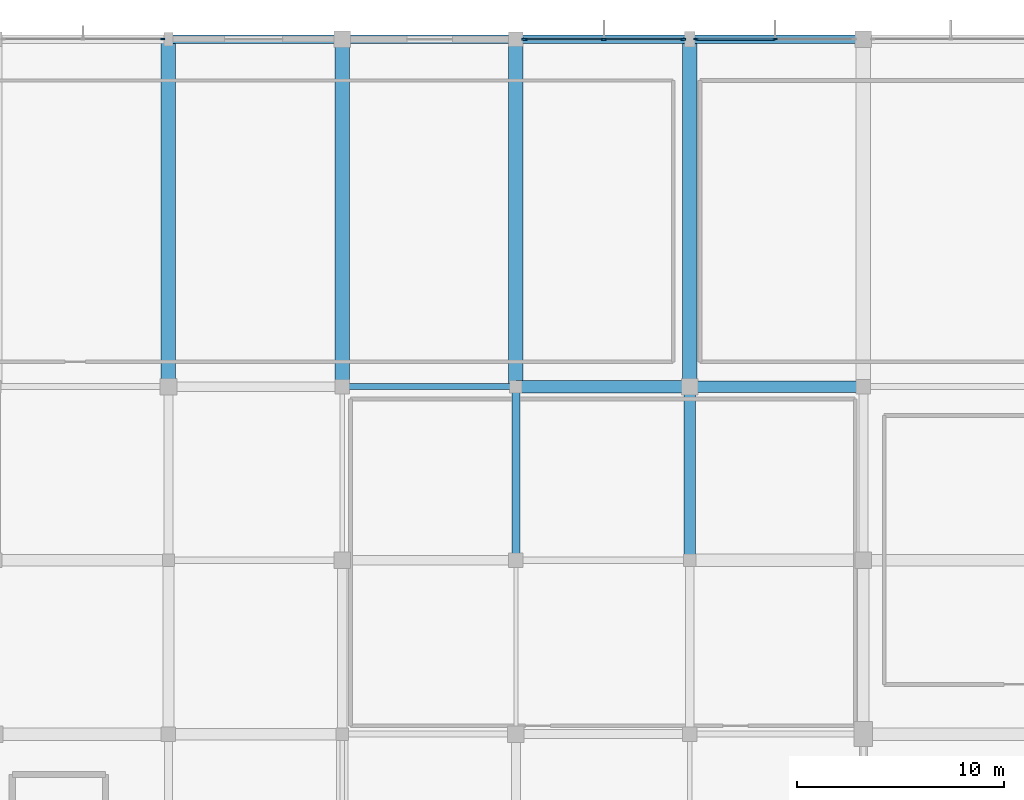
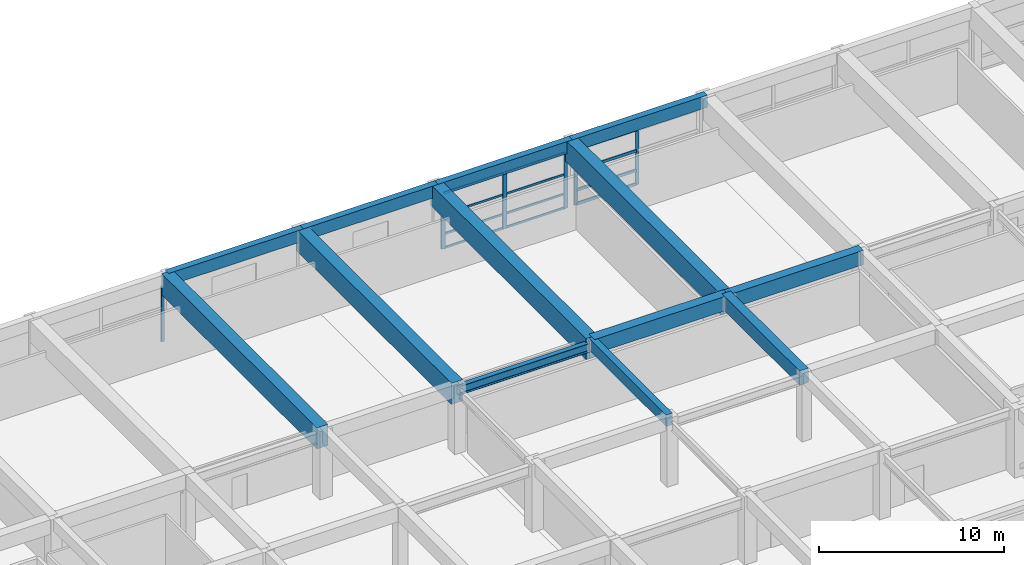
# One storey, part 26 of 65: 18 members, 13 beams, 3 elements without a shape of their own.
"""IFC4 building model written with IfcOpenShell, lengths in metres."""

from ifc_helpers import new_model, si_unit, direction, frame, origin, origin_2d, place, context, subcontext, project, spatial, rectangle, i_section, extrude, material, material_profile, profile_set, type_object, element, aggregate, save


model = new_model("IFC4")

# Units and contexts
model_context = context("Model", 3, precision=1e-05, world=origin(), true_north=direction((0.0, 1.0)))
body_context = subcontext(model_context, "Body", "Model", "MODEL_VIEW")
ifc_project = project(units=[si_unit("LENGTHUNIT", "METRE"), si_unit("AREAUNIT", "SQUARE_METRE"), si_unit("VOLUMEUNIT", "CUBIC_METRE"), si_unit("PLANEANGLEUNIT", "RADIAN"), si_unit("MASSUNIT", "GRAM", prefix="KILO")], contexts=[model_context])

# Site, building, storey
site_placement = place(None, origin())
site = spatial("IfcSite", under=ifc_project, at=site_placement, CompositionType="ELEMENT")
building_placement = place(site_placement, origin())
building = spatial("IfcBuilding", under=site, at=building_placement, Name="Xuanlan Plaza Opera House", CompositionType="ELEMENT")
storey_placement = place(building_placement, frame((0.0, 0.0, 5.39990234375)))
storey = spatial("IfcBuildingStorey", under=building, at=storey_placement, Name="L01", CompositionType="ELEMENT", Elevation=5.39990234375)

# Curtain wall, member
ifc_material_1 = material(Name="Anodised Aluminium 6063-T6 and Low-E Glass", Category="aluminium")
curtain_wall_type_1 = type_object("IfcCurtainWallType", Name="ENV-CW-CW-04", PredefinedType="USERDEFINED", material=ifc_material_1)
curtain_wall_1_placement = place(storey_placement, origin())
curtain_wall_1 = element("IfcCurtainWall", 1, at=curtain_wall_1_placement, inside=storey, type_object=curtain_wall_type_1, Name="Unitised Curtain Wall L01-045", ObjectType="UNITISED CURTAIN WALL", PredefinedType="USERDEFINED")
ifc_material_2 = material(Name="Anodised Aluminium 6063-T6", Category="aluminium")
ifc_material_profile_1 = material_profile(ifc_material_2, rectangle(XDim=0.074951171875, YDim=0.199951171875, at=origin_2d()), Name="ALU-M 75x200")
ifc_profile_set_1 = profile_set([ifc_material_profile_1], Name="Anodised Aluminium 6063-T6")
member_type_1 = type_object("IfcMemberType", Name="ENV-CWM-03", PredefinedType="MULLION", material=ifc_profile_set_1)
member_1_placement = place(storey_placement, frame((33.3173828125, 117.60009765625, 0.0), z_axis=(0.0, 0.0, 1.0), x_axis=(0.0, -1.0, 0.0)))
member_1 = element("IfcMember", 2, at=member_1_placement, type_object=member_type_1, Name="CW-04 mullion 1", PredefinedType="MULLION", context=body_context, shape_type="SweptSolid", body=[
    extrude(rectangle(XDim=0.074951171875, YDim=0.199951171875, at=origin_2d()), origin(), (0.0, 0.0, 1.0), 3.68017578125),
])
aggregate(curtain_wall_1, [member_1])

# Curtain wall, members
curtain_wall_type_2 = type_object("IfcCurtainWallType", Name="ENV-CW-CW-06", PredefinedType="USERDEFINED", material=ifc_material_1)
curtain_wall_2_placement = place(storey_placement, origin())
curtain_wall_2 = element("IfcCurtainWall", 3, at=curtain_wall_2_placement, inside=storey, type_object=curtain_wall_type_2, Name="Acoustic Glazed Wall L01-041", ObjectType="ACOUSTIC GLAZED WALL", PredefinedType="USERDEFINED")
ifc_material_profile_2 = material_profile(ifc_material_2, rectangle(XDim=0.080078125, YDim=0.219970703125, at=origin_2d()), Name="ALU-M 80x220")
ifc_profile_set_2 = profile_set([ifc_material_profile_2], Name="Anodised Aluminium 6063-T6")
member_type_2 = type_object("IfcMemberType", Name="ENV-CWM-04", PredefinedType="MULLION", material=ifc_profile_set_2)
member_2_placement = place(storey_placement, frame((62.925048828125, 117.60009765625, 0.0), z_axis=(0.0, 0.0, 1.0), x_axis=(0.0, -1.0, 0.0)))
member_2 = element("IfcMember", 4, at=member_2_placement, type_object=member_type_2, Name="CW-06 mullion 2", PredefinedType="MULLION", context=body_context, shape_type="SweptSolid", body=[
    extrude(rectangle(XDim=0.080078125, YDim=0.219970703125, at=origin_2d()), origin(), (0.0, 0.0, 1.0), 3.68017578125),
])
member_3_placement = place(storey_placement, frame((59.110107421875, 117.60009765625, 0.0), z_axis=(0.0, 0.0, 1.0), x_axis=(0.0, -1.0, 0.0)))
member_3 = element("IfcMember", 5, at=member_3_placement, type_object=member_type_2, Name="CW-06 mullion 3", PredefinedType="MULLION", context=body_context, shape_type="SweptSolid", body=[
    extrude(rectangle(XDim=0.080078125, YDim=0.219970703125, at=origin_2d()), origin(), (0.0, 0.0, 1.0), 3.68017578125),
])

curtain_wall_type_3 = type_object("IfcCurtainWallType", Name="ENV-CW-CW-01", PredefinedType="USERDEFINED", material=ifc_material_1)
curtain_wall_3_placement = place(storey_placement, origin())
curtain_wall_3 = element("IfcCurtainWall", 6, at=curtain_wall_3_placement, inside=storey, type_object=curtain_wall_type_3, Name="Unitised Curtain Wall L01-042", ObjectType="UNITISED CURTAIN WALL", PredefinedType="USERDEFINED")
ifc_material_profile_3 = material_profile(ifc_material_2, rectangle(XDim=0.090087890625, YDim=0.25, at=origin_2d()), Name="ALU-M 90x250")
ifc_profile_set_3 = profile_set([ifc_material_profile_3], Name="Anodised Aluminium 6063-T6")
member_type_3 = type_object("IfcMemberType", Name="ENV-CWM-05", PredefinedType="MULLION", material=ifc_profile_set_3)
member_4_placement = place(storey_placement, frame((58.485107421875, 117.60009765625, 0.0), z_axis=(0.0, 0.0, 1.0), x_axis=(0.0, -1.0, 0.0)))
member_4 = element("IfcMember", 7, at=member_4_placement, type_object=member_type_3, Name="CW-01 mullion 1", PredefinedType="MULLION", context=body_context, shape_type="SweptSolid", body=[
    extrude(rectangle(XDim=0.090087890625, YDim=0.25, at=origin_2d()), origin(), (0.0, 0.0, 1.0), 3.68017578125),
])
member_5_placement = place(storey_placement, frame((54.64990234375, 117.60009765625, 0.0), z_axis=(0.0, 0.0, 1.0), x_axis=(0.0, -1.0, 0.0)))
member_5 = element("IfcMember", 8, at=member_5_placement, type_object=member_type_3, Name="CW-01 mullion 2", PredefinedType="MULLION", context=body_context, shape_type="SweptSolid", body=[
    extrude(rectangle(XDim=0.090087890625, YDim=0.25, at=origin_2d()), origin(), (0.0, 0.0, 1.0), 3.68017578125),
])
member_6_placement = place(storey_placement, frame((50.81494140625, 117.60009765625, 0.0), z_axis=(0.0, 0.0, 1.0), x_axis=(0.0, -1.0, 0.0)))
member_6 = element("IfcMember", 9, at=member_6_placement, type_object=member_type_3, Name="CW-01 mullion 3", PredefinedType="MULLION", context=body_context, shape_type="SweptSolid", body=[
    extrude(rectangle(XDim=0.090087890625, YDim=0.25, at=origin_2d()), origin(), (0.0, 0.0, 1.0), 3.68017578125),
])
ifc_material_profile_4 = material_profile(ifc_material_2, rectangle(XDim=0.070068359375, YDim=0.135009765625, at=origin_2d()), Name="ALU-T 70x135")
ifc_profile_set_4 = profile_set([ifc_material_profile_4], Name="Anodised Aluminium 6063-T6")
member_type_4 = type_object("IfcMemberType", Name="ENV-CWT-02", PredefinedType="USERDEFINED", material=ifc_profile_set_4)
member_7_placement = place(storey_placement, frame((58.43994140625, 117.60009765625, 0.03515625), z_axis=(-1.0, 0.0, 0.0), x_axis=(0.0, -1.0, 0.0)))
member_7 = element("IfcMember", 10, at=member_7_placement, type_object=member_type_4, Name="CW-01 transom 1.1", ObjectType="TRANSOM", PredefinedType="USERDEFINED", context=body_context, shape_type="SweptSolid", body=[
    extrude(rectangle(XDim=0.070068359375, YDim=0.135009765625, at=origin_2d()), origin(), (0.0, 0.0, 1.0), 3.744873046875),
])
member_8_placement = place(storey_placement, frame((58.43994140625, 117.60009765625, 0.9501953125), z_axis=(-1.0, 0.0, 0.0), x_axis=(0.0, -1.0, 0.0)))
member_8 = element("IfcMember", 11, at=member_8_placement, type_object=member_type_4, Name="CW-01 transom 1.2", ObjectType="TRANSOM", PredefinedType="USERDEFINED", context=body_context, shape_type="SweptSolid", body=[
    extrude(rectangle(XDim=0.070068359375, YDim=0.135009765625, at=origin_2d()), origin(), (0.0, 0.0, 1.0), 3.744873046875),
])
member_9_placement = place(storey_placement, frame((58.43994140625, 117.60009765625, 2.25), z_axis=(-1.0, 0.0, 0.0), x_axis=(0.0, -1.0, 0.0)))
member_9 = element("IfcMember", 12, at=member_9_placement, type_object=member_type_4, Name="CW-01 transom 1.3", ObjectType="TRANSOM", PredefinedType="USERDEFINED", context=body_context, shape_type="SweptSolid", body=[
    extrude(rectangle(XDim=0.070068359375, YDim=0.135009765625, at=origin_2d()), origin(), (0.0, 0.0, 1.0), 3.744873046875),
])
member_10_placement = place(storey_placement, frame((58.43994140625, 117.60009765625, 3.64501953125), z_axis=(-1.0, 0.0, 0.0), x_axis=(0.0, -1.0, 0.0)))
member_10 = element("IfcMember", 13, at=member_10_placement, type_object=member_type_4, Name="CW-01 transom 1.4", ObjectType="TRANSOM", PredefinedType="USERDEFINED", context=body_context, shape_type="SweptSolid", body=[
    extrude(rectangle(XDim=0.070068359375, YDim=0.135009765625, at=origin_2d()), origin(), (0.0, 0.0, 1.0), 3.744873046875),
])
member_11_placement = place(storey_placement, frame((54.60498046875, 117.60009765625, 0.03515625), z_axis=(-1.0, 0.0, 0.0), x_axis=(0.0, -1.0, 0.0)))
member_11 = element("IfcMember", 14, at=member_11_placement, type_object=member_type_4, Name="CW-01 transom 2.1", ObjectType="TRANSOM", PredefinedType="USERDEFINED", context=body_context, shape_type="SweptSolid", body=[
    extrude(rectangle(XDim=0.070068359375, YDim=0.135009765625, at=origin_2d()), origin(), (0.0, 0.0, 1.0), 3.744873046875),
])
member_12_placement = place(storey_placement, frame((54.60498046875, 117.60009765625, 0.9501953125), z_axis=(-1.0, 0.0, 0.0), x_axis=(0.0, -1.0, 0.0)))
member_12 = element("IfcMember", 15, at=member_12_placement, type_object=member_type_4, Name="CW-01 transom 2.2", ObjectType="TRANSOM", PredefinedType="USERDEFINED", context=body_context, shape_type="SweptSolid", body=[
    extrude(rectangle(XDim=0.070068359375, YDim=0.135009765625, at=origin_2d()), origin(), (0.0, 0.0, 1.0), 3.744873046875),
])
member_13_placement = place(storey_placement, frame((54.60498046875, 117.60009765625, 2.25), z_axis=(-1.0, 0.0, 0.0), x_axis=(0.0, -1.0, 0.0)))
member_13 = element("IfcMember", 16, at=member_13_placement, type_object=member_type_4, Name="CW-01 transom 2.3", ObjectType="TRANSOM", PredefinedType="USERDEFINED", context=body_context, shape_type="SweptSolid", body=[
    extrude(rectangle(XDim=0.070068359375, YDim=0.135009765625, at=origin_2d()), origin(), (0.0, 0.0, 1.0), 3.744873046875),
])
member_14_placement = place(storey_placement, frame((54.60498046875, 117.60009765625, 3.64501953125), z_axis=(-1.0, 0.0, 0.0), x_axis=(0.0, -1.0, 0.0)))
member_14 = element("IfcMember", 17, at=member_14_placement, type_object=member_type_4, Name="CW-01 transom 2.4", ObjectType="TRANSOM", PredefinedType="USERDEFINED", context=body_context, shape_type="SweptSolid", body=[
    extrude(rectangle(XDim=0.070068359375, YDim=0.135009765625, at=origin_2d()), origin(), (0.0, 0.0, 1.0), 3.744873046875),
])
aggregate(curtain_wall_3, [member_4, member_5, member_6, member_7, member_8, member_9, member_10, member_11, member_12, member_13, member_14])

# Member
ifc_material_profile_5 = material_profile(ifc_material_2, rectangle(XDim=0.090087890625, YDim=0.179931640625, at=origin_2d()), Name="ALU-T 90x180")
ifc_profile_set_5 = profile_set([ifc_material_profile_5], Name="Anodised Aluminium 6063-T6")
member_type_5 = type_object("IfcMemberType", Name="ENV-CWT-05", PredefinedType="USERDEFINED", material=ifc_profile_set_5)
member_15_placement = place(storey_placement, frame((62.885009765625, 117.60009765625, 0.045166015625), z_axis=(-1.0, 0.0, 0.0), x_axis=(0.0, -1.0, 0.0)))
member_15 = element("IfcMember", 18, at=member_15_placement, type_object=member_type_5, Name="CW-06 transom 2.1", ObjectType="TRANSOM", PredefinedType="USERDEFINED", context=body_context, shape_type="SweptSolid", body=[
    extrude(rectangle(XDim=0.090087890625, YDim=0.179931640625, at=origin_2d()), origin(), (0.0, 0.0, 1.0), 3.735107421875),
])

member_16_placement = place(storey_placement, frame((62.885009765625, 117.60009765625, 0.9501953125), z_axis=(-1.0, 0.0, 0.0), x_axis=(0.0, -1.0, 0.0)))
member_16 = element("IfcMember", 19, at=member_16_placement, type_object=member_type_5, Name="CW-06 transom 2.2", ObjectType="TRANSOM", PredefinedType="USERDEFINED", context=body_context, shape_type="SweptSolid", body=[
    extrude(rectangle(XDim=0.090087890625, YDim=0.179931640625, at=origin_2d()), origin(), (0.0, 0.0, 1.0), 3.735107421875),
])

member_17_placement = place(storey_placement, frame((62.885009765625, 117.60009765625, 2.25), z_axis=(-1.0, 0.0, 0.0), x_axis=(0.0, -1.0, 0.0)))
member_17 = element("IfcMember", 20, at=member_17_placement, type_object=member_type_5, Name="CW-06 transom 2.3", ObjectType="TRANSOM", PredefinedType="USERDEFINED", context=body_context, shape_type="SweptSolid", body=[
    extrude(rectangle(XDim=0.090087890625, YDim=0.179931640625, at=origin_2d()), origin(), (0.0, 0.0, 1.0), 3.735107421875),
])

member_18_placement = place(storey_placement, frame((62.885009765625, 117.60009765625, 3.635009765625), z_axis=(-1.0, 0.0, 0.0), x_axis=(0.0, -1.0, 0.0)))
member_18 = element("IfcMember", 21, at=member_18_placement, type_object=member_type_5, Name="CW-06 transom 2.4", ObjectType="TRANSOM", PredefinedType="USERDEFINED", context=body_context, shape_type="SweptSolid", body=[
    extrude(rectangle(XDim=0.090087890625, YDim=0.179931640625, at=origin_2d()), origin(), (0.0, 0.0, 1.0), 3.735107421875),
])

aggregate(curtain_wall_2, [member_2, member_3, member_15, member_16, member_17, member_18])

# Beams
ifc_material_3 = material(Name="Concrete C50", Category="concrete")
ifc_material_profile_6 = material_profile(ifc_material_3, rectangle(XDim=0.60009765625, YDim=0.949951171875, at=origin_2d()), Name="RC-BM 600x950")
ifc_profile_set_6 = profile_set([ifc_material_profile_6], Name="Concrete C50")
beam_type_1 = type_object("IfcBeamType", Name="STR-BM-B-01", PredefinedType="BEAM", material=ifc_profile_set_6)
beam_1_placement = place(storey_placement, frame((50.39990234375, 100.800048828125, 4.025146484375), z_axis=(1.0, 0.0, 0.0), x_axis=(0.0, 1.0, 0.0)))
element("IfcBeam", 22, at=beam_1_placement, inside=storey, type_object=beam_type_1, Name="Grid Beam X L01 7-8/M", PredefinedType="BEAM", context=body_context, shape_type="SweptSolid", body=[
    extrude(rectangle(XDim=0.60009765625, YDim=0.949951171875, at=origin_2d()), origin(), (0.0, 0.0, 1.0), 8.400146484375),
])
ifc_material_profile_7 = material_profile(ifc_material_3, rectangle(XDim=0.550048828125, YDim=0.949951171875, at=origin_2d()), Name="RC-BM 550x950")
ifc_profile_set_7 = profile_set([ifc_material_profile_7], Name="Concrete C50")
beam_type_2 = type_object("IfcBeamType", Name="STR-BM-B-02", PredefinedType="BEAM", material=ifc_profile_set_7)
beam_2_placement = place(storey_placement, frame((58.800048828125, 100.800048828125, 4.025146484375), z_axis=(1.0, 0.0, 0.0), x_axis=(0.0, 1.0, 0.0)))
element("IfcBeam", 23, at=beam_2_placement, inside=storey, type_object=beam_type_2, Name="Grid Beam X L01 8-9/M", PredefinedType="BEAM", context=body_context, shape_type="SweptSolid", body=[
    extrude(rectangle(XDim=0.550048828125, YDim=0.949951171875, at=origin_2d()), origin(), (0.0, 0.0, 1.0), 8.39990234375),
])
beam_3_placement = place(storey_placement, frame((58.800048828125, 92.39990234375, 4.025146484375), z_axis=(0.0, 1.0, 0.0), x_axis=(-1.0, 0.0, 0.0)))
element("IfcBeam", 24, at=beam_3_placement, inside=storey, type_object=beam_type_2, Name="Grid Beam Y L01 8/L-M", PredefinedType="BEAM", context=body_context, shape_type="SweptSolid", body=[
    extrude(rectangle(XDim=0.550048828125, YDim=0.949951171875, at=origin_2d()), origin(), (0.0, 0.0, 1.0), 8.400146484375),
])
ifc_material_4 = material(Name="Concrete C40", Category="concrete")
ifc_material_profile_8 = material_profile(ifc_material_4, rectangle(XDim=0.39990234375, YDim=0.75, at=origin_2d()), Name="RC-BM 400x750")
ifc_profile_set_8 = profile_set([ifc_material_profile_8], Name="Concrete C40")
beam_type_3 = type_object("IfcBeamType", Name="STR-BM-B-06", PredefinedType="BEAM", material=ifc_profile_set_8)
beam_4_placement = place(storey_placement, frame((50.39990234375, 92.39990234375, 4.125), z_axis=(0.0, 1.0, 0.0), x_axis=(-1.0, 0.0, 0.0)))
element("IfcBeam", 25, at=beam_4_placement, inside=storey, type_object=beam_type_3, Name="Grid Beam Y L01 7/L-M", PredefinedType="BEAM", context=body_context, shape_type="SweptSolid", body=[
    extrude(rectangle(XDim=0.39990234375, YDim=0.75, at=origin_2d()), origin(), (0.0, 0.0, 1.0), 8.400146484375),
])
ifc_material_profile_9 = material_profile(ifc_material_3, rectangle(XDim=0.699951171875, YDim=1.39990234375, at=origin_2d()), Name="RC-LG 700x1400")
ifc_profile_set_9 = profile_set([ifc_material_profile_9], Name="Concrete C50")
beam_type_4 = type_object("IfcBeamType", Name="STR-BM-LG-01", PredefinedType="BEAM", material=ifc_profile_set_9)
for number, where, z_axis, x_axis, name in (
    (26, (33.60009765625, 100.800048828125, 3.800048828125), (0.0, 1.0, 0.0), (-1.0, 0.0, 0.0), "Grid Beam Y L01 5/M-O"),
    (27, (42.0, 100.800048828125, 3.800048828125), (0.0, 1.0, 0.0), (-1.0, 0.0, 0.0), "Grid Beam Y L01 6/M-O"),
    (28, (50.39990234375, 100.800048828125, 3.800048828125), (0.0, 1.0, 0.0), (-1.0, 0.0, 0.0), "Grid Beam Y L01 7/M-O"),
    (29, (58.800048828125, 100.800048828125, 3.800048828125), (0.0, 1.0, 0.0), (-1.0, 0.0, 0.0), "Grid Beam Y L01 8/M-O"),
):
    element("IfcBeam", number, at=place(storey_placement, frame(where, z_axis=z_axis, x_axis=x_axis)), inside=storey, type_object=beam_type_4, Name=name, PredefinedType="BEAM", context=body_context, shape_type="SweptSolid", body=[
        extrude(rectangle(XDim=0.699951171875, YDim=1.39990234375, at=origin_2d()), origin(), (0.0, 0.0, 1.0), 16.800048828125),
    ])
ifc_material_5 = material(Name="Steel Q355B", Category="steel")
ifc_material_profile_10 = material_profile(ifc_material_5, i_section(OverallWidth=0.300048828125, OverallDepth=0.587890625, WebThickness=0.011962890625, FlangeThickness=0.02001953125, FilletRadius=0.02392578125, at=origin_2d()), Name="HM 588x300x12x20")
ifc_profile_set_10 = profile_set([ifc_material_profile_10], Name="Steel Q355B")
beam_type_5 = type_object("IfcBeamType", Name="STR-BM-SB-06", PredefinedType="BEAM", material=ifc_profile_set_10)
beam_5_placement = place(storey_placement, frame((42.0, 100.800048828125, 3.941162109375), z_axis=(1.0, 0.0, 0.0), x_axis=(0.0, 1.0, 0.0)))
element("IfcBeam", 30, at=beam_5_placement, inside=storey, type_object=beam_type_5, Name="Grid Beam X L01 6-7/M", PredefinedType="BEAM", context=body_context, shape_type="SweptSolid", body=[
    extrude(i_section(OverallWidth=0.300048828125, OverallDepth=0.587890625, WebThickness=0.011962890625, FlangeThickness=0.02001953125, FilletRadius=0.02392578125, at=origin_2d()), origin(), (0.0, 0.0, 1.0), 8.39990234375),
])
ifc_material_profile_11 = material_profile(ifc_material_4, rectangle(XDim=0.39990234375, YDim=0.800048828125, at=origin_2d()), Name="RC-SPD 400x800")
ifc_profile_set_11 = profile_set([ifc_material_profile_11], Name="Concrete C40")
beam_type_6 = type_object("IfcBeamType", Name="STR-BM-SP-01", PredefinedType="SPANDREL", material=ifc_profile_set_11)
for number, where, z_axis, x_axis, name in (
    (31, (33.60009765625, 117.60009765625, 4.10009765625), (1.0, 0.0, 0.0), (0.0, 1.0, 0.0), "Grid Beam X L01 5-6/O"),
    (32, (42.0, 117.60009765625, 4.10009765625), (1.0, 0.0, 0.0), (0.0, 1.0, 0.0), "Grid Beam X L01 6-7/O"),
):
    element("IfcBeam", number, at=place(storey_placement, frame(where, z_axis=z_axis, x_axis=x_axis)), inside=storey, type_object=beam_type_6, Name=name, PredefinedType="SPANDREL", context=body_context, shape_type="SweptSolid", body=[
        extrude(rectangle(XDim=0.39990234375, YDim=0.800048828125, at=origin_2d()), origin(), (0.0, 0.0, 1.0), 8.39990234375),
    ])
beam_6_placement = place(storey_placement, frame((50.39990234375, 117.60009765625, 4.10009765625), z_axis=(1.0, 0.0, 0.0), x_axis=(0.0, 1.0, 0.0)))
element("IfcBeam", 33, at=beam_6_placement, inside=storey, type_object=beam_type_6, Name="Grid Beam X L01 7-8/O", PredefinedType="SPANDREL", context=body_context, shape_type="SweptSolid", body=[
    extrude(rectangle(XDim=0.39990234375, YDim=0.800048828125, at=origin_2d()), origin(), (0.0, 0.0, 1.0), 8.400146484375),
])
beam_7_placement = place(storey_placement, frame((58.800048828125, 117.60009765625, 4.10009765625), z_axis=(1.0, 0.0, 0.0), x_axis=(0.0, 1.0, 0.0)))
element("IfcBeam", 34, at=beam_7_placement, inside=storey, type_object=beam_type_6, Name="Grid Beam X L01 8-9/O", PredefinedType="SPANDREL", context=body_context, shape_type="SweptSolid", body=[
    extrude(rectangle(XDim=0.39990234375, YDim=0.800048828125, at=origin_2d()), origin(), (0.0, 0.0, 1.0), 8.39990234375),
])

save(model, "model.ifc")
